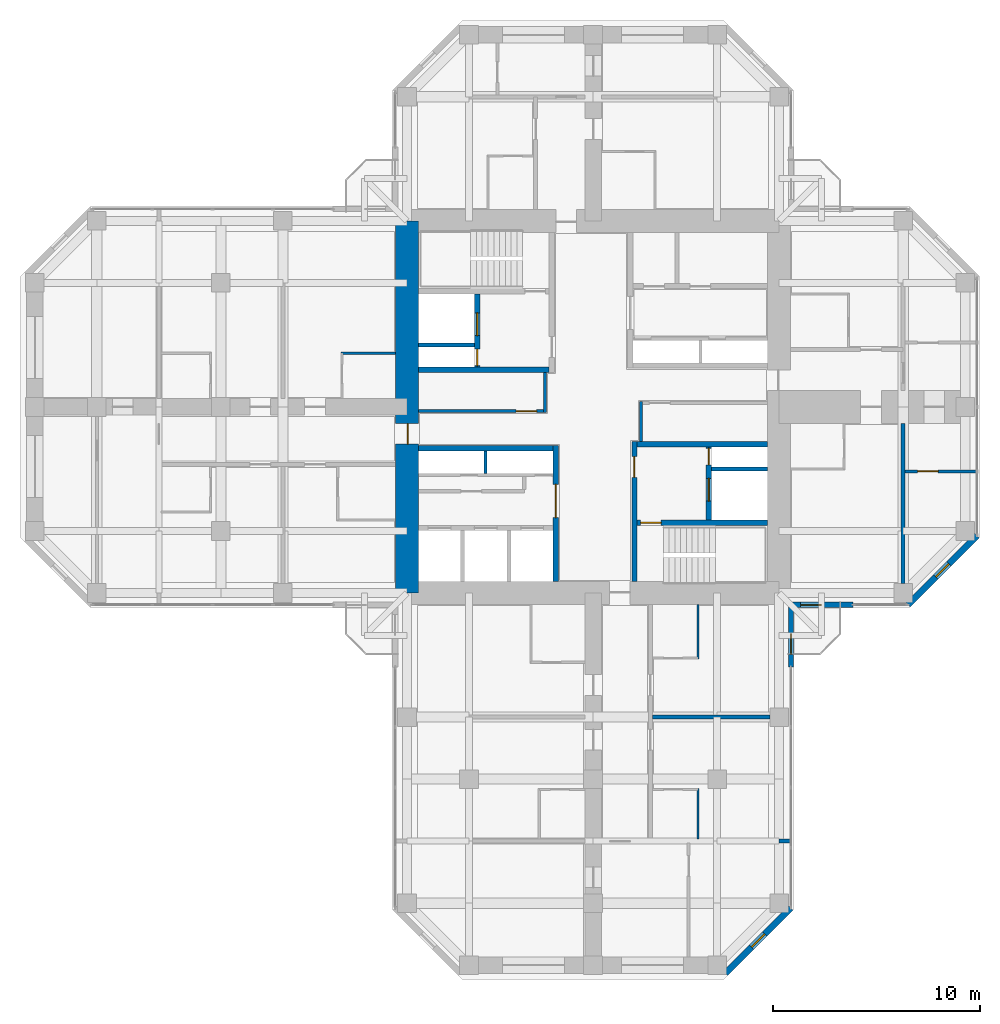
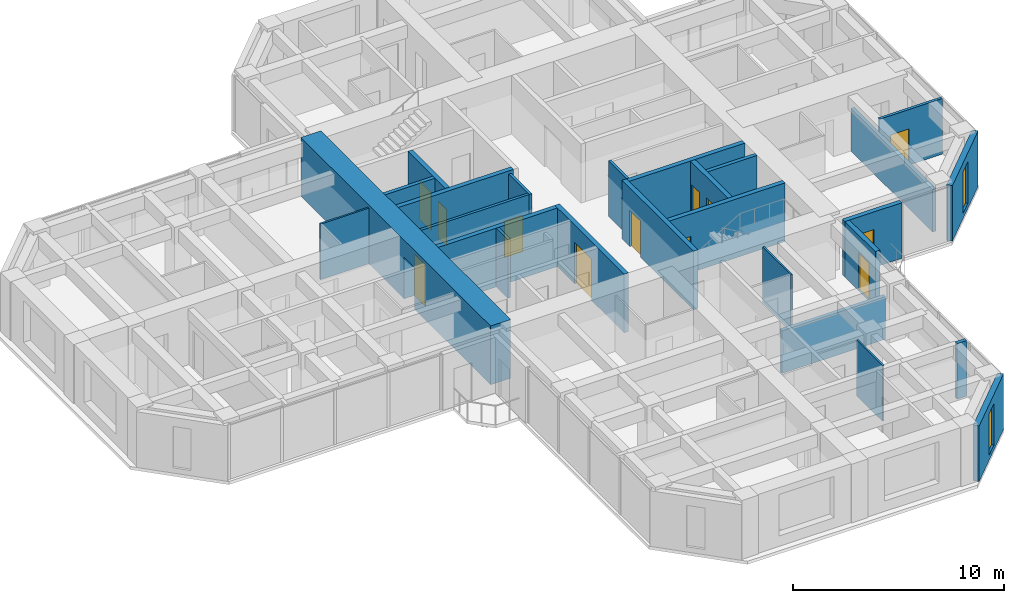
# One storey, part 10 of 14: 26 walls, 12 doors, 2 windows, 14 openings.
"""IFC4 building model written with IfcOpenShell, lengths in metres."""

from ifc_helpers import new_model, si_unit, direction, frame, frame_2d, origin, place, context, subcontext, project, spatial, rectangle, hollow_rectangle, extrude, material, layer, layer_set, constituent, constituent_set, type_object, element, fill, save


model = new_model("IFC4")

# Units and contexts
model_context = context("Model", 3, precision=1e-05, world=origin(), true_north=direction((0.0, 1.0)))
body_context = subcontext(model_context, "Body", "Model", "MODEL_VIEW")
ifc_project = project(units=[si_unit("LENGTHUNIT", "METRE"), si_unit("AREAUNIT", "SQUARE_METRE"), si_unit("VOLUMEUNIT", "CUBIC_METRE"), si_unit("PLANEANGLEUNIT", "RADIAN"), si_unit("MASSUNIT", "GRAM", prefix="KILO")], contexts=[model_context])

# Site, building, storey
site_placement = place(None, origin())
site = spatial("IfcSite", under=ifc_project, at=site_placement, CompositionType="ELEMENT")
building_placement = place(site_placement, origin())
building = spatial("IfcBuilding", under=site, at=building_placement, Name="Torre Cruceta", CompositionType="ELEMENT")
storey_placement = place(building_placement, frame((0.0, 0.0, 172.89990234375)))
storey = spatial("IfcBuildingStorey", under=building, at=storey_placement, Name="L42", CompositionType="ELEMENT", Elevation=172.89990234375)

# Walls
ifc_material_1 = material(Name="Water-resistant plasterboard on steel studs", Category="steel")
ifc_layer_1 = layer(ifc_material_1, 0.10009765625)
ifc_layer_set_1 = layer_set([ifc_layer_1], Name="Water-resistant plasterboard on steel studs")
wall_type_1 = type_object("IfcWallType", Name="BATHROOM WALL 100", PredefinedType="PARTITIONING", material=ifc_layer_set_1)
wall_1_placement = place(storey_placement, frame((5.074951171875, -9.550048828125, 0.0), z_axis=(0.0, 0.0, 1.0), x_axis=(0.0, -1.0, 0.0)))
element("IfcWall", 1, at=wall_1_placement, inside=storey, type_object=wall_type_1, Name="PT4 L42-S-U1LBB", PredefinedType="PARTITIONING", context=body_context, shape_type="SweptSolid", body=[
    extrude(rectangle(XDim=2.64990234375, YDim=0.10009765625, at=frame_2d((1.324951171875, 0.0))), origin(), (0.0, 0.0, 1.0), 3.22021484375),
])
wall_2_placement = place(storey_placement, frame((5.074951171875, -18.449951171875, 0.0), z_axis=(0.0, 0.0, 1.0), x_axis=(0.0, -1.0, 0.0)))
element("IfcWall", 2, at=wall_2_placement, inside=storey, type_object=wall_type_1, Name="PT4 L42-S-U2LBB", PredefinedType="PARTITIONING", context=body_context, shape_type="SweptSolid", body=[
    extrude(rectangle(XDim=2.449951171875, YDim=0.10009765625, at=frame_2d((1.22509765625, 0.0))), origin(), (0.0, 0.0, 1.0), 3.22021484375),
])
wall_3_placement = place(storey_placement, frame((-9.550048828125, 2.60009765625, 0.0), z_axis=(0.0, 0.0, 1.0), x_axis=(-1.0, 0.0, 0.0)))
element("IfcWall", 3, at=wall_3_placement, inside=storey, type_object=wall_type_1, Name="PT4 L42-W-U1RBB", PredefinedType="PARTITIONING", context=body_context, shape_type="SweptSolid", body=[
    extrude(rectangle(XDim=2.64990234375, YDim=0.10009765625, at=frame_2d((1.324951171875, 0.0))), origin(), (0.0, 0.0, 1.0), 3.22021484375),
])
ifc_material_2 = material(Name="Concrete G60 (fck 60 MPa)", Category="concrete")
ifc_layer_2 = layer(ifc_material_2, 0.25)
ifc_layer_set_2 = layer_set([ifc_layer_2], Name="Concrete G60 (fck 60 MPa)")
wall_type_2 = type_object("IfcWallType", Name="CORE INNER WALL 250 G60", PredefinedType="SHEAR", material=ifc_layer_set_2)
wall_4_placement = place(storey_placement, frame((-2.125, 1.800048828125, 0.0), z_axis=(0.0, 0.0, 1.0), x_axis=(-1.0, 0.0, 0.0)))
element("IfcWall", 4, at=wall_4_placement, inside=storey, type_object=wall_type_2, Name="CW4 L42 NW-CV", PredefinedType="SHEAR", context=body_context, shape_type="SweptSolid", body=[
    extrude(rectangle(XDim=6.324951171875, YDim=0.25, at=frame_2d((3.16259765625, 0.0))), origin(), (0.0, 0.0, 1.0), 3.400146484375),
])

# Wall, openings, doors
wall_5_placement = place(storey_placement, frame((-5.60009765625, 1.925048828125, 0.0), z_axis=(0.0, 0.0, 1.0), x_axis=(0.0, 1.0, 0.0)))
wall_5 = element("IfcWall", 5, at=wall_5_placement, inside=storey, type_object=wall_type_2, Name="CW4 L42 NW-FU", PredefinedType="SHEAR", context=body_context, shape_type="SweptSolid", body=[
    extrude(rectangle(XDim=3.550048828125, YDim=0.25, at=frame_2d((1.77490234375, 0.0))), origin(), (0.0, 0.0, 1.0), 3.400146484375),
])
opening_1_placement = place(wall_5_placement, frame((1.52490234375, 0.0, 0.0)))
opening_1 = element("IfcOpeningElement", 6, at=opening_1_placement, cuts=wall_5, Name="Opening LD1", PredefinedType="OPENING", context=body_context, shape_type="SweptSolid", body=[
    extrude(rectangle(XDim=1.10009765625, YDim=2.199951171875, at=frame_2d((0.550048828125, 1.10009765625))), frame((0.0, 0.135009765625, 0.0), z_axis=(0.0, -1.0, 0.0), x_axis=(1.0, 0.0, 0.0)), (0.0, 0.0, 1.0), 0.27001953125),
])
opening_2_placement = place(wall_5_placement, frame((0.074951171875, 0.0, 0.0)))
opening_2 = element("IfcOpeningElement", 7, at=opening_2_placement, cuts=wall_5, Name="Opening D5", PredefinedType="OPENING", context=body_context, shape_type="SweptSolid", body=[
    extrude(rectangle(XDim=0.800048828125, YDim=2.10009765625, at=frame_2d((0.39990234375, 1.050048828125))), frame((0.0, 0.135009765625, 0.0), z_axis=(0.0, -1.0, 0.0), x_axis=(1.0, 0.0, 0.0)), (0.0, 0.0, 1.0), 0.27001953125),
])
ifc_material_3 = material(Name="Stainless steel 1.4401", Category="steel")
door_type_1 = type_object("IfcDoorType", Name="LIFT LANDING DOOR 1100X2200", OperationType="DOUBLE_DOOR_SLIDING", PredefinedType="DOOR", material=ifc_material_3)
door_1_placement = place(opening_1_placement, origin())
door_1 = element("IfcDoor", 8, at=door_1_placement, inside=storey, type_object=door_type_1, Name="Lift landing door FL1", OperationType="DOUBLE_DOOR_SLIDING", OverallHeight=2.199951171875, OverallWidth=1.10009765625, PredefinedType="DOOR", context=body_context, shape_type="SweptSolid", body=[
    extrude(rectangle(XDim=1.10009765625, YDim=2.199951171875, at=frame_2d((0.550048828125, 1.10009765625))), frame((0.0, 0.02490234375, 0.0), z_axis=(0.0, -1.0, 0.0), x_axis=(1.0, 0.0, 0.0)), (0.0, 0.0, 1.0), 0.050048828125),
])
fill(opening_1, door_1)
ifc_material_4 = material(Name="Steel DX51D", Category="steel")
ifc_constituent_1 = constituent(ifc_material_4, Name="Leaf and frame")
ifc_material_5 = material(Name="Polyester powder coating", Category="paint")
ifc_constituent_2 = constituent(ifc_material_5, Name="Finish")
ifc_constituent_set_1 = constituent_set(constituents=[ifc_constituent_1, ifc_constituent_2], Name="Steel fire door")
door_type_2 = type_object("IfcDoorType", Name="RISER ACCESS DOOR 800X2100", OperationType="SINGLE_SWING_LEFT", PredefinedType="DOOR", material=ifc_constituent_set_1)
door_2_placement = place(opening_2_placement, origin())
door_2 = element("IfcDoor", 9, at=door_2_placement, inside=storey, type_object=door_type_2, Name="D5 L42 NW-RISER", OperationType="SINGLE_SWING_LEFT", OverallHeight=2.10009765625, OverallWidth=0.800048828125, PredefinedType="DOOR", context=body_context, shape_type="SweptSolid", body=[
    extrude(rectangle(XDim=0.800048828125, YDim=2.10009765625, at=frame_2d((0.39990234375, 1.050048828125))), frame((0.0, 0.02490234375, 0.0), z_axis=(0.0, -1.0, 0.0), x_axis=(1.0, 0.0, 0.0)), (0.0, 0.0, 1.0), 0.050048828125),
])
fill(opening_2, door_2)

# Wall, opening, door
wall_6_placement = place(storey_placement, frame((-1.800048828125, -1.875, 0.0), z_axis=(0.0, 0.0, 1.0), x_axis=(0.0, -1.0, 0.0)))
wall_6 = element("IfcWall", 10, at=wall_6_placement, inside=storey, type_object=wall_type_2, Name="CW4 L42 SW-CU", PredefinedType="SHEAR", context=body_context, shape_type="SweptSolid", body=[
    extrude(rectangle(XDim=6.574951171875, YDim=0.25, at=frame_2d((3.28759765625, 0.0))), origin(), (0.0, 0.0, 1.0), 3.400146484375),
])
opening_3_placement = place(wall_6_placement, frame((1.875, 0.0, 0.0)))
opening_3 = element("IfcOpeningElement", 11, at=opening_3_placement, cuts=wall_6, Name="Opening D8", PredefinedType="OPENING", context=body_context, shape_type="SweptSolid", body=[
    extrude(rectangle(XDim=1.60009765625, YDim=2.39990234375, at=frame_2d((0.800048828125, 1.199951171875))), frame((0.0, 0.135009765625, 0.0), z_axis=(0.0, -1.0, 0.0), x_axis=(1.0, 0.0, 0.0)), (0.0, 0.0, 1.0), 0.27001953125),
])
ifc_material_6 = material(Name="Steel DX51D", Category="steel")
ifc_constituent_3 = constituent(ifc_material_6, Name="Leaf and frame")
ifc_material_7 = material(Name="Polyester powder coating", Category="paint")
ifc_constituent_4 = constituent(ifc_material_7, Name="Finish")
ifc_material_8 = material(Name="Fire-resisting glass", Category="glass")
ifc_constituent_5 = constituent(ifc_material_8, Name="Vision panel")
ifc_constituent_set_2 = constituent_set(constituents=[ifc_constituent_3, ifc_constituent_4, ifc_constituent_5], Name="Steel fire door with vision panels")
door_type_3 = type_object("IfcDoorType", Name="LIFT LOBBY DOUBLE DOOR 1600X2400", OperationType="DOUBLE_DOOR_DOUBLE_SWING", PredefinedType="DOOR", material=ifc_constituent_set_2)
door_3_placement = place(opening_3_placement, origin())
door_3 = element("IfcDoor", 12, at=door_3_placement, inside=storey, type_object=door_type_3, Name="D8 L42 SW-LOBBY", OperationType="DOUBLE_DOOR_DOUBLE_SWING", OverallHeight=2.39990234375, OverallWidth=1.60009765625, PredefinedType="DOOR", context=body_context, shape_type="SweptSolid", body=[
    extrude(rectangle(XDim=1.60009765625, YDim=2.39990234375, at=frame_2d((0.800048828125, 1.199951171875))), frame((0.0, 0.02490234375, 0.0), z_axis=(0.0, -1.0, 0.0), x_axis=(1.0, 0.0, 0.0)), (0.0, 0.0, 1.0), 0.050048828125),
])
fill(opening_3, door_3)

# Wall
wall_7_placement = place(storey_placement, frame((-1.925048828125, -2.0, 0.0), z_axis=(0.0, 0.0, 1.0), x_axis=(-1.0, 0.0, 0.0)))
element("IfcWall", 13, at=wall_7_placement, inside=storey, type_object=wall_type_2, Name="CW4 L42 SW-CV", PredefinedType="SHEAR", context=body_context, shape_type="SweptSolid", body=[
    extrude(rectangle(XDim=6.52490234375, YDim=0.25, at=frame_2d((3.262451171875, 0.0))), origin(), (0.0, 0.0, 1.0), 3.400146484375),
])

# Wall, opening, door
wall_8_placement = place(storey_placement, frame((2.0, -1.675048828125, 0.0), z_axis=(0.0, 0.0, 1.0), x_axis=(0.0, -1.0, 0.0)))
wall_8 = element("IfcWall", 14, at=wall_8_placement, inside=storey, type_object=wall_type_2, Name="CW4 L42 SE-CU", PredefinedType="SHEAR", context=body_context, shape_type="SweptSolid", body=[
    extrude(rectangle(XDim=6.77490234375, YDim=0.25, at=frame_2d((3.387451171875, 0.0))), origin(), (0.0, 0.0, 1.0), 3.400146484375),
])
opening_4_placement = place(wall_8_placement, frame((0.72509765625, 0.0, 0.0)))
opening_4 = element("IfcOpeningElement", 15, at=opening_4_placement, cuts=wall_8, Name="Opening D3", PredefinedType="OPENING", context=body_context, shape_type="SweptSolid", body=[
    extrude(rectangle(XDim=1.0, YDim=2.10009765625, at=frame_2d((0.5, 1.050048828125))), frame((0.0, 0.135009765625, 0.0), z_axis=(0.0, -1.0, 0.0), x_axis=(1.0, 0.0, 0.0)), (0.0, 0.0, 1.0), 0.27001953125),
])
ifc_material_9 = material(Name="Steel DX51D", Category="steel")
ifc_constituent_6 = constituent(ifc_material_9, Name="Leaf and frame")
ifc_material_10 = material(Name="Polyester powder coating", Category="paint")
ifc_constituent_7 = constituent(ifc_material_10, Name="Finish")
ifc_constituent_set_3 = constituent_set(constituents=[ifc_constituent_6, ifc_constituent_7], Name="Steel fire door")
door_type_4 = type_object("IfcDoorType", Name="FIRE DOOR 1000X2100", OperationType="SINGLE_SWING_LEFT", PredefinedType="DOOR", material=ifc_constituent_set_3)
door_4_placement = place(opening_4_placement, origin())
door_4 = element("IfcDoor", 16, at=door_4_placement, inside=storey, type_object=door_type_4, Name="D3 L42 SE-LOBBY", OperationType="SINGLE_SWING_LEFT", OverallHeight=2.10009765625, OverallWidth=1.0, PredefinedType="DOOR", context=body_context, shape_type="SweptSolid", body=[
    extrude(rectangle(XDim=1.0, YDim=2.10009765625, at=frame_2d((0.5, 1.050048828125))), frame((0.0, 0.02490234375, 0.0), z_axis=(0.0, -1.0, 0.0), x_axis=(1.0, 0.0, 0.0)), (0.0, 0.0, 1.0), 0.050048828125),
])
fill(opening_4, door_4)

# Wall
wall_9_placement = place(storey_placement, frame((2.125, -1.800048828125, 0.0), z_axis=(0.0, 0.0, 1.0), x_axis=(1.0, 0.0, 0.0)))
element("IfcWall", 17, at=wall_9_placement, inside=storey, type_object=wall_type_2, Name="CW4 L42 SE-CV", PredefinedType="SHEAR", context=body_context, shape_type="SweptSolid", body=[
    extrude(rectangle(XDim=6.324951171875, YDim=0.25, at=frame_2d((3.16259765625, 0.0))), origin(), (0.0, 0.0, 1.0), 3.400146484375),
])

# Wall, opening, door
wall_10_placement = place(storey_placement, frame((2.125, -5.60009765625, 0.0), z_axis=(0.0, 0.0, 1.0), x_axis=(1.0, 0.0, 0.0)))
wall_10 = element("IfcWall", 18, at=wall_10_placement, inside=storey, type_object=wall_type_2, Name="CW4 L42 SE-SV", PredefinedType="SHEAR", context=body_context, shape_type="SweptSolid", body=[
    extrude(rectangle(XDim=6.324951171875, YDim=0.25, at=frame_2d((3.16259765625, 0.0))), origin(), (0.0, 0.0, 1.0), 3.400146484375),
])
opening_5_placement = place(wall_10_placement, frame((0.175048828125, 0.0, 0.0)))
opening_5 = element("IfcOpeningElement", 19, at=opening_5_placement, cuts=wall_10, Name="Opening D3", PredefinedType="OPENING", context=body_context, shape_type="SweptSolid", body=[
    extrude(rectangle(XDim=1.0, YDim=2.10009765625, at=frame_2d((0.5, 1.050048828125))), frame((0.0, 0.135009765625, 0.0), z_axis=(0.0, -1.0, 0.0), x_axis=(1.0, 0.0, 0.0)), (0.0, 0.0, 1.0), 0.27001953125),
])
door_5_placement = place(opening_5_placement, frame((1.0, 0.0, 0.0), z_axis=(0.0, 0.0, 1.0), x_axis=(-1.0, 0.0, 0.0)))
door_5 = element("IfcDoor", 20, at=door_5_placement, inside=storey, type_object=door_type_4, Name="D3 L42 SE-STAIR", OperationType="SINGLE_SWING_RIGHT", OverallHeight=2.10009765625, OverallWidth=1.0, PredefinedType="DOOR", context=body_context, shape_type="SweptSolid", body=[
    extrude(rectangle(XDim=1.0, YDim=2.10009765625, at=frame_2d((0.5, 1.050048828125))), frame((0.0, 0.025146484375, 0.0), z_axis=(0.0, -1.0, 0.0), x_axis=(1.0, 0.0, 0.0)), (0.0, 0.0, 1.0), 0.050048828125),
])
fill(opening_5, door_5)

# Wall, openings, doors
wall_11_placement = place(storey_placement, frame((5.60009765625, -1.925048828125, 0.0), z_axis=(0.0, 0.0, 1.0), x_axis=(0.0, -1.0, 0.0)))
wall_11 = element("IfcWall", 21, at=wall_11_placement, inside=storey, type_object=wall_type_2, Name="CW4 L42 SE-FU", PredefinedType="SHEAR", context=body_context, shape_type="SweptSolid", body=[
    extrude(rectangle(XDim=3.550048828125, YDim=0.25, at=frame_2d((1.77490234375, 0.0))), origin(), (0.0, 0.0, 1.0), 3.400146484375),
])
opening_6_placement = place(wall_11_placement, frame((1.52490234375, 0.0, 0.0)))
opening_6 = element("IfcOpeningElement", 22, at=opening_6_placement, cuts=wall_11, Name="Opening LD1", PredefinedType="OPENING", context=body_context, shape_type="SweptSolid", body=[
    extrude(rectangle(XDim=1.10009765625, YDim=2.199951171875, at=frame_2d((0.550048828125, 1.10009765625))), frame((0.0, 0.135009765625, 0.0), z_axis=(0.0, -1.0, 0.0), x_axis=(1.0, 0.0, 0.0)), (0.0, 0.0, 1.0), 0.27001953125),
])
opening_7_placement = place(wall_11_placement, frame((0.074951171875, 0.0, 0.0)))
opening_7 = element("IfcOpeningElement", 23, at=opening_7_placement, cuts=wall_11, Name="Opening D5", PredefinedType="OPENING", context=body_context, shape_type="SweptSolid", body=[
    extrude(rectangle(XDim=0.800048828125, YDim=2.10009765625, at=frame_2d((0.39990234375, 1.050048828125))), frame((0.0, 0.135009765625, 0.0), z_axis=(0.0, -1.0, 0.0), x_axis=(1.0, 0.0, 0.0)), (0.0, 0.0, 1.0), 0.27001953125),
])
door_6_placement = place(opening_6_placement, origin())
door_6 = element("IfcDoor", 24, at=door_6_placement, inside=storey, type_object=door_type_1, Name="Lift landing door FL2", OperationType="DOUBLE_DOOR_SLIDING", OverallHeight=2.199951171875, OverallWidth=1.10009765625, PredefinedType="DOOR", context=body_context, shape_type="SweptSolid", body=[
    extrude(rectangle(XDim=1.10009765625, YDim=2.199951171875, at=frame_2d((0.550048828125, 1.10009765625))), frame((0.0, 0.02490234375, 0.0), z_axis=(0.0, -1.0, 0.0), x_axis=(1.0, 0.0, 0.0)), (0.0, 0.0, 1.0), 0.050048828125),
])
fill(opening_6, door_6)
door_7_placement = place(opening_7_placement, origin())
door_7 = element("IfcDoor", 25, at=door_7_placement, inside=storey, type_object=door_type_2, Name="D5 L42 SE-RISER", OperationType="SINGLE_SWING_LEFT", OverallHeight=2.10009765625, OverallWidth=0.800048828125, PredefinedType="DOOR", context=body_context, shape_type="SweptSolid", body=[
    extrude(rectangle(XDim=0.800048828125, YDim=2.10009765625, at=frame_2d((0.39990234375, 1.050048828125))), frame((0.0, 0.02490234375, 0.0), z_axis=(0.0, -1.0, 0.0), x_axis=(1.0, 0.0, 0.0)), (0.0, 0.0, 1.0), 0.050048828125),
])
fill(opening_7, door_7)

# Wall, opening, door
ifc_material_11 = material(Name="Concrete G60 (fck 60 MPa)", Category="concrete")
ifc_layer_3 = layer(ifc_material_11, 1.10009765625)
ifc_layer_set_3 = layer_set([ifc_layer_3], Name="Concrete G60 (fck 60 MPa)")
wall_type_3 = type_object("IfcWallType", Name="CORE WALL 1100 G60", PredefinedType="SHEAR", material=ifc_layer_set_3)
wall_12_placement = place(storey_placement, frame((-9.0, 9.0, 0.0), z_axis=(0.0, 0.0, 1.0), x_axis=(0.0, -1.0, 0.0)))
wall_12 = element("IfcWall", 26, at=wall_12_placement, inside=storey, type_object=wall_type_3, Name="CW2 L42 CW-W", PredefinedType="SHEAR", context=body_context, shape_type="SweptSolid", body=[
    extrude(rectangle(XDim=18.0, YDim=1.10009765625, at=frame_2d((9.0, 0.0))), origin(), (0.0, 0.0, 1.0), 3.400146484375),
])
opening_8_placement = place(wall_12_placement, frame((9.800048828125, 0.0, 0.0)))
opening_8 = element("IfcOpeningElement", 27, at=opening_8_placement, cuts=wall_12, Name="Opening D4", PredefinedType="OPENING", context=body_context, shape_type="SweptSolid", body=[
    extrude(rectangle(XDim=1.0, YDim=2.39990234375, at=frame_2d((0.5, 1.199951171875))), frame((0.0, 0.56005859375, 0.0), z_axis=(0.0, -1.0, 0.0), x_axis=(1.0, 0.0, 0.0)), (0.0, 0.0, 1.0), 1.1201171875),
])
ifc_material_12 = material(Name="Steel DX51D", Category="steel")
ifc_constituent_8 = constituent(ifc_material_12, Name="Leaf and frame")
ifc_material_13 = material(Name="Polyester powder coating", Category="paint")
ifc_constituent_9 = constituent(ifc_material_13, Name="Finish")
ifc_constituent_set_4 = constituent_set(constituents=[ifc_constituent_8, ifc_constituent_9], Name="Steel fire door")
door_type_5 = type_object("IfcDoorType", Name="CORE ARM DOOR 1000X2400", OperationType="SINGLE_SWING_RIGHT", PredefinedType="DOOR", material=ifc_constituent_set_4)
door_8_placement = place(opening_8_placement, origin())
door_8 = element("IfcDoor", 28, at=door_8_placement, inside=storey, type_object=door_type_5, Name="D4 L42 CW-W", OperationType="SINGLE_SWING_RIGHT", OverallHeight=2.39990234375, OverallWidth=1.0, PredefinedType="DOOR", context=body_context, shape_type="SweptSolid", body=[
    extrude(rectangle(XDim=1.0, YDim=2.39990234375, at=frame_2d((0.5, 1.199951171875))), frame((0.0, 0.05517578125, 0.0), z_axis=(0.0, -1.0, 0.0), x_axis=(1.0, 0.0, 0.0)), (0.0, 0.0, 1.0), 0.050048828125),
])
fill(opening_8, door_8)

# Wall, opening, window
ifc_material_14 = material(Name="Concrete G30 (fck 30 MPa)", Category="concrete")
ifc_layer_4 = layer(ifc_material_14, 0.300048828125)
ifc_layer_set_4 = layer_set([ifc_layer_4], Name="Concrete G30 (fck 30 MPa)")
wall_type_4 = type_object("IfcWallType", Name="EXPOSED CONCRETE FACADE WALL 300", PredefinedType="SOLIDWALL", material=ifc_layer_set_4)
wall_13_placement = place(storey_placement, frame((15.236083984375, -9.570068359375, 0.0), z_axis=(0.0, 0.0, 1.0), x_axis=(0.707106781187, 0.707106781187, 0.0)))
wall_13 = element("IfcWall", 29, at=wall_13_placement, inside=storey, type_object=wall_type_4, Name="EW1 facade wall L42 E chamfer 01", PredefinedType="SOLIDWALL", context=body_context, shape_type="SweptSolid", body=[
    extrude(rectangle(XDim=4.715087890625, YDim=0.300048828125, at=frame_2d((2.357421875, 0.0))), origin(), (0.0, 0.0, 1.0), 3.22021484375),
])
opening_9_placement = place(wall_13_placement, frame((1.907470703125, 0.0, 0.300048828125)))
opening_9 = element("IfcOpeningElement", 30, at=opening_9_placement, cuts=wall_13, Name="Opening WN5", PredefinedType="OPENING", context=body_context, shape_type="SweptSolid", body=[
    extrude(rectangle(XDim=0.89990234375, YDim=2.39990234375, at=frame_2d((0.449951171875, 1.199951171875))), frame((0.0, 0.159912109375, 0.0), z_axis=(0.0, -1.0, 0.0), x_axis=(1.0, 0.0, 0.0)), (0.0, 0.0, 1.0), 0.320068359375),
])
ifc_material_15 = material(Name="Aluminium window frame", Category="aluminium")
ifc_constituent_10 = constituent(ifc_material_15, Name="Frame")
ifc_material_16 = material(Name="Laminated insulating glass unit, low-iron clear", Category="glass")
ifc_constituent_11 = constituent(ifc_material_16, Name="Glazing")
ifc_constituent_set_5 = constituent_set(constituents=[ifc_constituent_10, ifc_constituent_11], Name="Aluminium window")
window_type = type_object("IfcWindowType", Name="CHAMFER SLOT WINDOW 900X2400", PartitioningType="SINGLE_PANEL", PredefinedType="WINDOW", material=ifc_constituent_set_5)
window_1_placement = place(opening_9_placement, origin())
window_1 = element("IfcWindow", 31, at=window_1_placement, inside=storey, type_object=window_type, Name="WN5 L42 E 1", OverallHeight=2.39990234375, OverallWidth=0.89990234375, PartitioningType="SINGLE_PANEL", PredefinedType="WINDOW", context=body_context, shape_type="SweptSolid", body=[
    extrude(hollow_rectangle(XDim=0.89990234375, YDim=2.39990234375, WallThickness=0.06005859375, at=frame_2d((0.449951171875, 1.199951171875))), frame((0.0, 0.030029296875, 0.0), z_axis=(0.0, -1.0, 0.0), x_axis=(1.0, 0.0, 0.0)), (0.0, 0.0, 1.0), 0.06005859375),
    extrude(rectangle(XDim=0.77880859375, YDim=2.27880859375, at=frame_2d((0.449951171875, 1.199951171875))), frame((0.0, 0.030029296875, 0.0), z_axis=(0.0, -1.0, 0.0), x_axis=(1.0, 0.0, 0.0)), (0.0, 0.0, 1.0), 0.06005859375),
])
fill(opening_9, window_1)

wall_14_placement = place(storey_placement, frame((6.406005859375, -27.39990234375, 0.0), z_axis=(0.0, 0.0, 1.0), x_axis=(0.707134062067, 0.707079499254, 0.0)))
wall_14 = element("IfcWall", 32, at=wall_14_placement, inside=storey, type_object=wall_type_4, Name="EW1 facade wall L42 S chamfer 18", PredefinedType="SOLIDWALL", context=body_context, shape_type="SweptSolid", body=[
    extrude(rectangle(XDim=4.474609375, YDim=0.300048828125, at=frame_2d((2.2373046875, 0.0))), origin(), (0.0, 0.0, 1.0), 3.22021484375),
])
opening_10_placement = place(wall_14_placement, frame((1.787109375, 0.0, 0.300048828125)))
opening_10 = element("IfcOpeningElement", 33, at=opening_10_placement, cuts=wall_14, Name="Opening WN5", PredefinedType="OPENING", context=body_context, shape_type="SweptSolid", body=[
    extrude(rectangle(XDim=0.89990234375, YDim=2.39990234375, at=frame_2d((0.449951171875, 1.199951171875))), frame((0.0, 0.159912109375, 0.0), z_axis=(0.0, -1.0, 0.0), x_axis=(1.0, 0.0, 0.0)), (0.0, 0.0, 1.0), 0.320068359375),
])
window_2_placement = place(opening_10_placement, origin())
window_2 = element("IfcWindow", 34, at=window_2_placement, inside=storey, type_object=window_type, Name="WN5 L42 S 1", OverallHeight=2.39990234375, OverallWidth=0.89990234375, PartitioningType="SINGLE_PANEL", PredefinedType="WINDOW", context=body_context, shape_type="SweptSolid", body=[
    extrude(hollow_rectangle(XDim=0.89990234375, YDim=2.39990234375, WallThickness=0.06005859375, at=frame_2d((0.449951171875, 1.199951171875))), frame((0.0, 0.030029296875, 0.0), z_axis=(0.0, -1.0, 0.0), x_axis=(1.0, 0.0, 0.0)), (0.0, 0.0, 1.0), 0.06005859375),
    extrude(rectangle(XDim=0.77880859375, YDim=2.27880859375, at=frame_2d((0.449951171875, 1.199951171875))), frame((0.0, 0.030029296875, 0.0), z_axis=(0.0, -1.0, 0.0), x_axis=(1.0, 0.0, 0.0)), (0.0, 0.0, 1.0), 0.06005859375),
])
fill(opening_10, window_2)

# Walls
ifc_material_17 = material(Name="Concrete G35 (fck 35 MPa)", Category="concrete")
ifc_layer_5 = layer(ifc_material_17, 0.199951171875)
ifc_layer_set_5 = layer_set([ifc_layer_5], Name="Concrete G35 (fck 35 MPa)")
wall_type_5 = type_object("IfcWallType", Name="LIFT SHAFT WALL 200", PredefinedType="PARTITIONING", material=ifc_layer_set_5)
for number, where, z_axis, x_axis, name in (
    (35, (-5.72509765625, 3.0, 0.0), (0.0, 0.0, 1.0), (-1.0, 0.0, 0.0), "SW1 L42 NW-FR"),
    (36, (5.72509765625, -3.0, 0.0), (0.0, 0.0, 1.0), (1.0, 0.0, 0.0), "SW1 L42 SE-FR"),
):
    element("IfcWall", number, at=place(storey_placement, frame(where, z_axis=z_axis, x_axis=x_axis)), inside=storey, type_object=wall_type_5, Name=name, PredefinedType="PARTITIONING", context=body_context, shape_type="SweptSolid", body=[
        extrude(rectangle(XDim=2.724853515625, YDim=0.199951171875, at=frame_2d((1.3623046875, 0.0))), origin(), (0.0, 0.0, 1.0), 3.400146484375),
    ])
ifc_material_18 = material(Name="Plasterboard on steel studs", Category="steel")
ifc_layer_6 = layer(ifc_material_18, 0.14990234375)
ifc_layer_set_6 = layer_set([ifc_layer_6], Name="Plasterboard on steel studs")
wall_type_6 = type_object("IfcWallType", Name="PARTITION 150", PredefinedType="PARTITIONING", material=ifc_layer_set_6)
wall_15_placement = place(storey_placement, frame((2.324951171875, -1.675048828125, 0.0), z_axis=(0.0, 0.0, 1.0), x_axis=(0.0, 1.0, 0.0)))
element("IfcWall", 37, at=wall_15_placement, inside=storey, type_object=wall_type_6, Name="PT1 L42-CORE-LEGE-S-W2", PredefinedType="PARTITIONING", context=body_context, shape_type="SweptSolid", body=[
    extrude(rectangle(XDim=1.949951171875, YDim=0.14990234375, at=frame_2d((0.97509765625, 0.0))), origin(), (0.0, 0.0, 1.0), 3.22021484375),
])

# Wall, opening, door
wall_16_placement = place(storey_placement, frame((-2.324951171875, -0.199951171875, 0.0), z_axis=(0.0, 0.0, 1.0), x_axis=(-1.0, 0.0, 0.0)))
wall_16 = element("IfcWall", 38, at=wall_16_placement, inside=storey, type_object=wall_type_6, Name="PT1 L42-CORE-LEGW-N-W1", PredefinedType="PARTITIONING", context=body_context, shape_type="SweptSolid", body=[
    extrude(rectangle(XDim=6.125, YDim=0.14990234375, at=frame_2d((3.0625, 0.0))), origin(), (0.0, 0.0, 1.0), 3.22021484375),
])
opening_11_placement = place(wall_16_placement, frame((0.39990234375, 0.0, 0.0)))
opening_11 = element("IfcOpeningElement", 39, at=opening_11_placement, cuts=wall_16, Name="Opening D3", PredefinedType="OPENING", context=body_context, shape_type="SweptSolid", body=[
    extrude(rectangle(XDim=1.0, YDim=2.10009765625, at=frame_2d((0.5, 1.050048828125))), frame((0.0, 0.0849609375, 0.0), z_axis=(0.0, -1.0, 0.0), x_axis=(1.0, 0.0, 0.0)), (0.0, 0.0, 1.0), 0.169921875),
])
door_9_placement = place(opening_11_placement, frame((1.0, 0.0, 0.0), z_axis=(0.0, 0.0, 1.0), x_axis=(-1.0, 0.0, 0.0)))
door_9 = element("IfcDoor", 40, at=door_9_placement, inside=storey, type_object=door_type_4, Name="D3 L42-CORE-LEGW-N-W1-D1", OperationType="SINGLE_SWING_RIGHT", OverallHeight=2.10009765625, OverallWidth=1.0, PredefinedType="DOOR", context=body_context, shape_type="SweptSolid", body=[
    extrude(rectangle(XDim=1.0, YDim=2.10009765625, at=frame_2d((0.5, 1.050048828125))), frame((0.0, 0.025146484375, 0.0), z_axis=(0.0, -1.0, 0.0), x_axis=(1.0, 0.0, 0.0)), (0.0, 0.0, 1.0), 0.050048828125),
])
fill(opening_11, door_9)

# Wall
wall_17_placement = place(storey_placement, frame((-2.324951171875, 1.675048828125, 0.0), z_axis=(0.0, 0.0, 1.0), x_axis=(0.0, -1.0, 0.0)))
element("IfcWall", 41, at=wall_17_placement, inside=storey, type_object=wall_type_6, Name="PT1 L42-CORE-LEGW-N-W2", PredefinedType="PARTITIONING", context=body_context, shape_type="SweptSolid", body=[
    extrude(rectangle(XDim=1.949951171875, YDim=0.14990234375, at=frame_2d((0.97509765625, 0.0))), origin(), (0.0, 0.0, 1.0), 3.22021484375),
])

# Wall, opening, door
wall_18_placement = place(storey_placement, frame((15.10009765625, -3.117919921875, 0.0), z_axis=(0.0, 0.0, 1.0), x_axis=(1.0, 0.0, 0.0)))
wall_18 = element("IfcWall", 42, at=wall_18_placement, inside=storey, type_object=wall_type_6, Name="PT1 L42-E-END2X", PredefinedType="PARTITIONING", context=body_context, shape_type="SweptSolid", body=[
    extrude(rectangle(XDim=3.429931640625, YDim=0.14990234375, at=frame_2d((1.71484375, 0.0))), origin(), (0.0, 0.0, 1.0), 3.22021484375),
])
opening_12_placement = place(wall_18_placement, frame((0.60009765625, 0.0, 0.0)))
opening_12 = element("IfcOpeningElement", 43, at=opening_12_placement, cuts=wall_18, Name="Opening D3", PredefinedType="OPENING", context=body_context, shape_type="SweptSolid", body=[
    extrude(rectangle(XDim=1.0, YDim=2.10009765625, at=frame_2d((0.5, 1.050048828125))), frame((0.0, 0.0849609375, 0.0), z_axis=(0.0, -1.0, 0.0), x_axis=(1.0, 0.0, 0.0)), (0.0, 0.0, 1.0), 0.169921875),
])
door_10_placement = place(opening_12_placement, origin())
door_10 = element("IfcDoor", 44, at=door_10_placement, inside=storey, type_object=door_type_4, Name="D3 L42-E-END2X-D1", OperationType="SINGLE_SWING_LEFT", OverallHeight=2.10009765625, OverallWidth=1.0, PredefinedType="DOOR", context=body_context, shape_type="SweptSolid", body=[
    extrude(rectangle(XDim=1.0, YDim=2.10009765625, at=frame_2d((0.5, 1.050048828125))), frame((0.0, 0.02490234375, 0.0), z_axis=(0.0, -1.0, 0.0), x_axis=(1.0, 0.0, 0.0)), (0.0, 0.0, 1.0), 0.050048828125),
])
fill(opening_12, door_10)

# Walls
ifc_material_19 = material(Name="Concrete block masonry", Category="masonry")
ifc_layer_7 = layer(ifc_material_19, 0.14990234375)
ifc_layer_set_7 = layer_set([ifc_layer_7], Name="Concrete block masonry")
wall_type_7 = type_object("IfcWallType", Name="RISER WALL 150", PredefinedType="PARTITIONING", material=ifc_layer_set_7)
wall_19_placement = place(storey_placement, frame((-5.199951171875, -2.125, 0.0), z_axis=(0.0, 0.0, 1.0), x_axis=(0.0, -1.0, 0.0)))
element("IfcWall", 45, at=wall_19_placement, inside=storey, type_object=wall_type_7, Name="SW7 L42 SW-RU", PredefinedType="PARTITIONING", context=body_context, shape_type="SweptSolid", body=[
    extrude(rectangle(XDim=1.10009765625, YDim=0.14990234375, at=frame_2d((0.550048828125, 0.0))), origin(), (0.0, 0.0, 1.0), 3.400146484375),
])
ifc_material_20 = material(Name="Concrete G25 (fck 25 MPa)", Category="concrete")
ifc_layer_8 = layer(ifc_material_20, 0.199951171875)
ifc_layer_set_8 = layer_set([ifc_layer_8], Name="Concrete G25 (fck 25 MPa)")
wall_type_8 = type_object("IfcWallType", Name="UNIT SEPARATING WALL 200", PredefinedType="SOLIDWALL", material=ifc_layer_set_8)
wall_20_placement = place(storey_placement, frame((15.0, -8.550048828125, 0.0), z_axis=(0.0, 0.0, 1.0), x_axis=(0.0, 1.0, 0.0)))
element("IfcWall", 46, at=wall_20_placement, inside=storey, type_object=wall_type_8, Name="PT2 L42-E-ENDa", PredefinedType="SOLIDWALL", context=body_context, shape_type="SweptSolid", body=[
    extrude(rectangle(XDim=7.75, YDim=0.199951171875, at=frame_2d((3.875, 0.0))), origin(), (0.0, 0.0, 1.0), 2.47021484375),
])
wall_21_placement = place(storey_placement, frame((2.875, -15.0, 0.0), z_axis=(0.0, 0.0, 1.0), x_axis=(1.0, 0.0, 0.0)))
element("IfcWall", 47, at=wall_21_placement, inside=storey, type_object=wall_type_8, Name="PT2 L42-S-P1L", PredefinedType="SOLIDWALL", context=body_context, shape_type="SweptSolid", body=[
    extrude(rectangle(XDim=5.675048828125, YDim=0.199951171875, at=frame_2d((2.83740234375, 0.0))), origin(), (0.0, 0.0, 1.0), 2.47021484375),
])
wall_22_placement = place(storey_placement, frame((9.0, -21.0, 0.0), z_axis=(0.0, 0.0, 1.0), x_axis=(1.0, 0.0, 0.0)))
element("IfcWall", 48, at=wall_22_placement, inside=storey, type_object=wall_type_8, Name="PT2 L42-S-ENDb 2", PredefinedType="SOLIDWALL", context=body_context, shape_type="SweptSolid", body=[
    extrude(rectangle(XDim=0.530029296875, YDim=0.199951171875, at=frame_2d((0.26513671875, 0.0))), origin(), (0.0, 0.0, 1.0), 3.22021484375),
])

# Wall, opening, door
ifc_material_21 = material(Name="Concrete G30 (fck 30 MPa)", Category="concrete")
ifc_layer_9 = layer(ifc_material_21, 0.25)
ifc_layer_set_9 = layer_set([ifc_layer_9], Name="Concrete G30 (fck 30 MPa)")
wall_type_9 = type_object("IfcWallType", Name="WINTER GARDEN WALL 250", PredefinedType="SOLIDWALL", material=ifc_layer_set_9)
wall_23_placement = place(storey_placement, frame((9.445068359375, -9.570068359375, 0.0), z_axis=(0.0, 0.0, 1.0), x_axis=(1.0, 0.0, 0.0)))
wall_23 = element("IfcWall", 49, at=wall_23_placement, inside=storey, type_object=wall_type_9, Name="EW2 winter garden wall L42 00", PredefinedType="SOLIDWALL", context=body_context, shape_type="SweptSolid", body=[
    extrude(rectangle(XDim=3.125, YDim=0.25, at=frame_2d((1.5625, 0.0))), origin(), (0.0, 0.0, 1.0), 3.22021484375),
])
opening_13_placement = place(wall_23_placement, frame((0.60009765625, 0.0, 0.0)))
opening_13 = element("IfcOpeningElement", 50, at=opening_13_placement, cuts=wall_23, Name="Opening D10", PredefinedType="OPENING", context=body_context, shape_type="SweptSolid", body=[
    extrude(rectangle(XDim=1.0, YDim=2.199951171875, at=frame_2d((0.5, 1.10009765625))), frame((0.0, 0.135009765625, 0.0), z_axis=(0.0, -1.0, 0.0), x_axis=(1.0, 0.0, 0.0)), (0.0, 0.0, 1.0), 0.27001953125),
])
ifc_material_22 = material(Name="Aluminium door frame", Category="aluminium")
ifc_constituent_12 = constituent(ifc_material_22, Name="Frame")
ifc_material_23 = material(Name="Laminated safety glass", Category="glass")
ifc_constituent_13 = constituent(ifc_material_23, Name="Glazing")
ifc_constituent_set_6 = constituent_set(constituents=[ifc_constituent_12, ifc_constituent_13], Name="Aluminium glazed door")
door_type_6 = type_object("IfcDoorType", Name="BALCONY DOOR 1000X2200", OperationType="SINGLE_SWING_RIGHT", PredefinedType="DOOR", material=ifc_constituent_set_6)
door_11_placement = place(opening_13_placement, origin())
door_11 = element("IfcDoor", 51, at=door_11_placement, inside=storey, type_object=door_type_6, Name="D10 balcony door L42 00", OperationType="SINGLE_SWING_LEFT", OverallHeight=2.199951171875, OverallWidth=1.0, PredefinedType="DOOR", context=body_context, shape_type="SweptSolid", body=[
    extrude(hollow_rectangle(XDim=1.0, YDim=2.199951171875, WallThickness=0.06005859375, at=frame_2d((0.5, 1.10009765625))), frame((0.0, 0.02490234375, 0.0), z_axis=(0.0, -1.0, 0.0), x_axis=(1.0, 0.0, 0.0)), (0.0, 0.0, 1.0), 0.050048828125),
    extrude(rectangle(XDim=0.87890625, YDim=2.078857421875, at=frame_2d((0.5, 1.10009765625))), frame((0.0, 0.02490234375, 0.0), z_axis=(0.0, -1.0, 0.0), x_axis=(1.0, 0.0, 0.0)), (0.0, 0.0, 1.0), 0.050048828125),
])
fill(opening_13, door_11)

wall_24_placement = place(storey_placement, frame((9.570068359375, -12.570068359375, 0.0), z_axis=(0.0, 0.0, 1.0), x_axis=(0.0, 1.0, 0.0)))
wall_24 = element("IfcWall", 52, at=wall_24_placement, inside=storey, type_object=wall_type_9, Name="EW2 winter garden wall L42 19", PredefinedType="SOLIDWALL", context=body_context, shape_type="SweptSolid", body=[
    extrude(rectangle(XDim=2.875, YDim=0.25, at=frame_2d((1.4375, 0.0))), origin(), (0.0, 0.0, 1.0), 3.22021484375),
])
opening_14_placement = place(wall_24_placement, frame((0.60009765625, 0.0, 0.0)))
opening_14 = element("IfcOpeningElement", 53, at=opening_14_placement, cuts=wall_24, Name="Opening D10", PredefinedType="OPENING", context=body_context, shape_type="SweptSolid", body=[
    extrude(rectangle(XDim=1.0, YDim=2.199951171875, at=frame_2d((0.5, 1.10009765625))), frame((0.0, 0.135009765625, 0.0), z_axis=(0.0, -1.0, 0.0), x_axis=(1.0, 0.0, 0.0)), (0.0, 0.0, 1.0), 0.27001953125),
])
door_12_placement = place(opening_14_placement, origin())
door_12 = element("IfcDoor", 54, at=door_12_placement, inside=storey, type_object=door_type_6, Name="D10 balcony door L42 19", OperationType="SINGLE_SWING_RIGHT", OverallHeight=2.199951171875, OverallWidth=1.0, PredefinedType="DOOR", context=body_context, shape_type="SweptSolid", body=[
    extrude(hollow_rectangle(XDim=1.0, YDim=2.199951171875, WallThickness=0.06005859375, at=frame_2d((0.5, 1.10009765625))), frame((0.0, 0.02490234375, 0.0), z_axis=(0.0, -1.0, 0.0), x_axis=(1.0, 0.0, 0.0)), (0.0, 0.0, 1.0), 0.050048828125),
    extrude(rectangle(XDim=0.87890625, YDim=2.078857421875, at=frame_2d((0.5, 1.10009765625))), frame((0.0, 0.02490234375, 0.0), z_axis=(0.0, -1.0, 0.0), x_axis=(1.0, 0.0, 0.0)), (0.0, 0.0, 1.0), 0.050048828125),
])
fill(opening_14, door_12)

save(model, "model.ifc")
